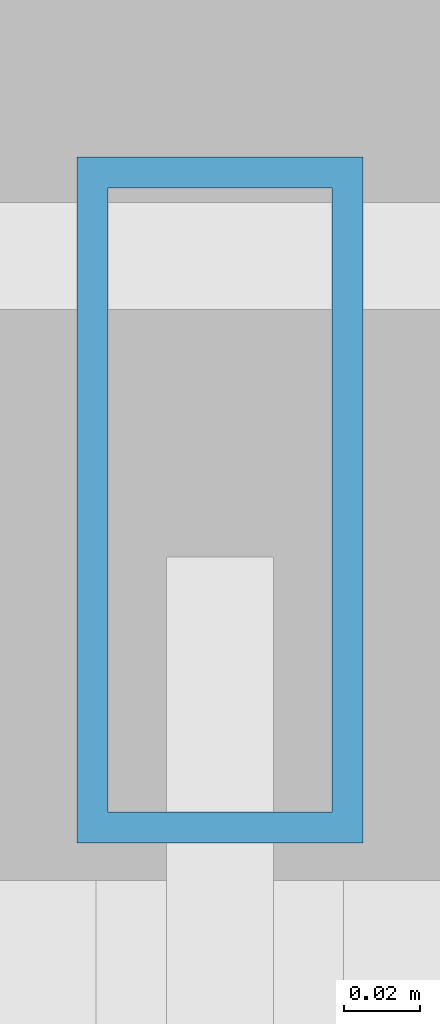
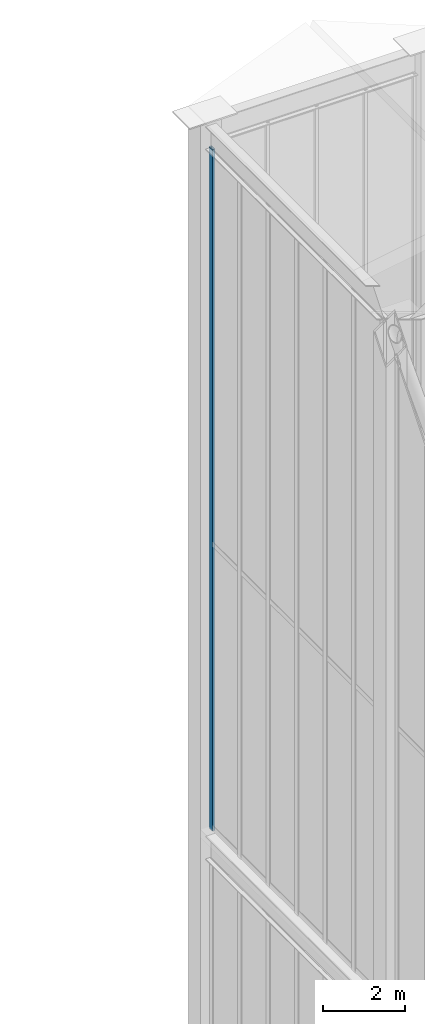
# One storey, part 106 of 135: 1 member, 1 element without a shape of its own.
"""IFC4 building model written with IfcOpenShell, lengths in metres."""

from ifc_helpers import new_model, si_unit, direction, frame, origin, origin_2d, place, context, subcontext, project, spatial, hollow_rectangle, extrude, source, transform, mapped, material, layer, layer_set, material_profile, profile_set, type_object, element, aggregate, save


model = new_model("IFC4")

# Units and contexts
model_context = context("Model", 3, precision=1e-05, world=origin(), true_north=direction((0.0, 1.0)))
body_context = subcontext(model_context, "Body", "Model", "MODEL_VIEW")
ifc_project = project(units=[si_unit("LENGTHUNIT", "METRE"), si_unit("AREAUNIT", "SQUARE_METRE"), si_unit("VOLUMEUNIT", "CUBIC_METRE"), si_unit("PLANEANGLEUNIT", "RADIAN"), si_unit("MASSUNIT", "GRAM", prefix="KILO")], contexts=[model_context])

# Site, building, storey
site_placement = place(None, origin())
site = spatial("IfcSite", under=ifc_project, at=site_placement, CompositionType="ELEMENT")
building_placement = place(site_placement, origin())
building = spatial("IfcBuilding", under=site, at=building_placement, Name="Giltprow Tower", CompositionType="ELEMENT")
storey_placement = place(building_placement, frame((0.0, 0.0, 352.699951171875)))
storey = spatial("IfcBuildingStorey", under=building, at=storey_placement, Name="L92", CompositionType="ELEMENT", Elevation=352.699951171875)

# Curtain wall, member
ifc_material = material(Name="Anodized bronze", Category="metal")
ifc_layer = layer(ifc_material, 0.179931640625, Name="Anodized bronze")
ifc_layer_set = layer_set([ifc_layer], Name="Anodized bronze")
curtain_wall_type = type_object("IfcCurtainWallType", Name="CW-CROWN-LANTERN", PredefinedType="NOTDEFINED", material=ifc_layer_set)
curtain_wall_placement = place(storey_placement, origin())
curtain_wall = element("IfcCurtainWall", 1, at=curtain_wall_placement, inside=storey, type_object=curtain_wall_type, Name="Crown East Upper Lantern Glazing 5", PredefinedType="NOTDEFINED")
ifc_material_profile = material_profile(ifc_material, hollow_rectangle(XDim=0.074951171875, YDim=0.179931640625, WallThickness=0.008056640625, at=origin_2d()), Name="RHS 180x75x8")
ifc_profile_set = profile_set([ifc_material_profile], Name="Anodized bronze")
member_type = type_object("IfcMemberType", Name="CW-MULLION-180x75", PredefinedType="MULLION", material=ifc_profile_set)
shared_shape = source(origin(), body_context, "Body", "SweptSolid", [
    extrude(hollow_rectangle(XDim=0.074951171875, YDim=0.179931640625, WallThickness=0.008056640625, at=origin_2d()), origin(), (0.0, 0.0, 1.0), 20.406005859375),
])
member_placement = place(storey_placement, frame((44.300048828125, 46.199951171875, 17.25), z_axis=(0.0, 0.0, 1.0), x_axis=(1.0, 0.0, 0.0)))
member = element("IfcMember", 2, at=member_placement, type_object=member_type, Name="Crown East Upper Lantern Glazing 5 Mullion 1", PredefinedType="MULLION", context=body_context, shape_type="MappedRepresentation", body=[
    mapped(shared_shape, transform((0.0, 0.0, 0.0), x_axis=(1.0, 0.0, 0.0), y_axis=(0.0, 1.0, 0.0), z_axis=(0.0, 0.0, 1.0), scale=1.0)),
])
aggregate(curtain_wall, [member])

save(model, "model.ifc")
